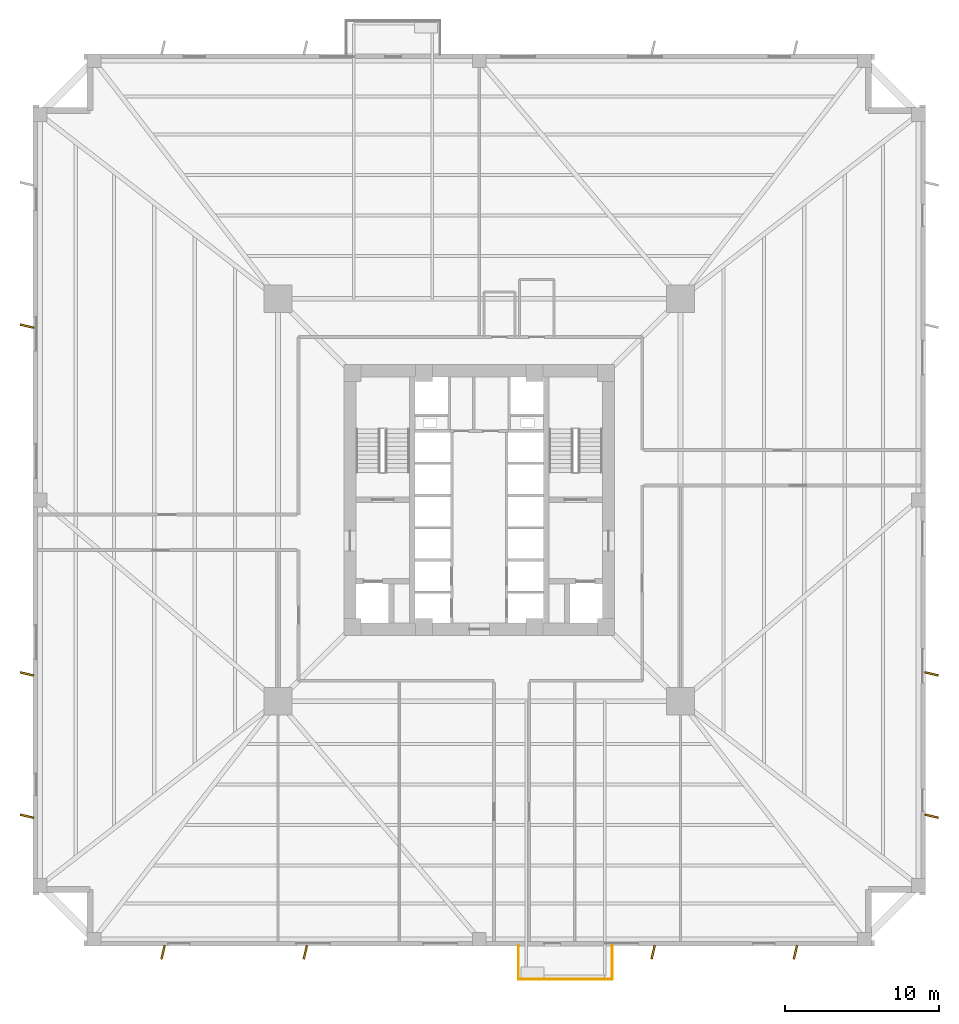
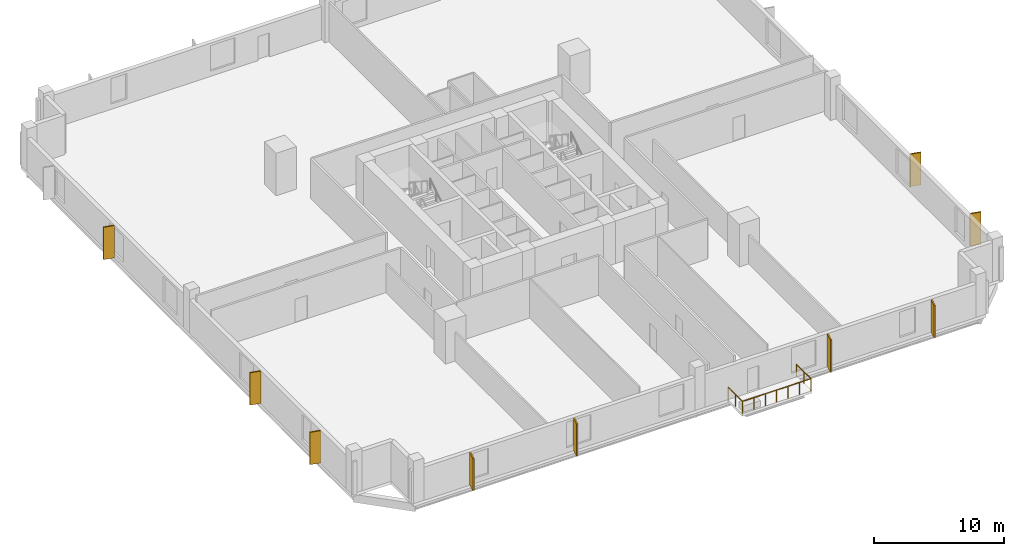
# One storey, part 6 of 8: 9 coverings, 3 railings.
"""IFC4 building model written with IfcOpenShell, lengths in metres."""

import ifcopenshell
import ifcopenshell.guid

model = None  # the IFC model being written
_history = None  # IfcOwnerHistory: only IFC2X3 demands one
_inside = {}  # id of a spatial element -> (the spatial element, [elements in it])
_under = {}  # id of a project, library or spatial element -> (it, [spatial elements below it])
_declared = {}  # id of a project -> (the project, [libraries it declares])
_typed = {}  # id of a type object -> (the type object, [elements of that type])
_made_of = {}  # id of a material, layer set ... -> (it, [elements and type objects made of it])


def new_model(schema):
    """Start an empty IFC model of exactly this schema.

    Asked for "IFC4X3", IfcOpenShell would pick the latest addendum, in which some entities
    have other attributes; the version numbers below select the first issue.
    IFC2X3 requires an IfcOwnerHistory on every rooted entity: one is made here for all.
    """
    global model, _history
    if schema == "IFC4X3":
        model = ifcopenshell.file(schema_version=(4, 3, 0, 0))
    else:
        model = ifcopenshell.file(schema=schema)
    _inside.clear()
    _under.clear()
    _declared.clear()
    _typed.clear()
    _made_of.clear()
    _history = None
    if model.schema == "IFC2X3":
        org = make("IfcOrganization", Name="unknown")
        user = make(
            "IfcPersonAndOrganization",
            ThePerson=make("IfcPerson", FamilyName="unknown"),
            TheOrganization=org,
        )
        app = make(
            "IfcApplication",
            ApplicationDeveloper=org,
            Version="unknown",
            ApplicationFullName="unknown",
            ApplicationIdentifier="unknown",
        )
        _history = make(
            "IfcOwnerHistory",
            OwningUser=user,
            OwningApplication=app,
            ChangeAction="ADDED",
            CreationDate=0,
        )
    return model


def make(cls, **values):
    """One entity of the class cls with the attributes given. An attribute that is None is left unset."""
    return model.create_entity(
        cls, **{name: value for name, value in values.items() if value is not None}
    )


def rooted(cls, **values):
    """An entity with a GlobalId (a new one), such as an element, a storey or a relation."""
    return make(cls, GlobalId=ifcopenshell.guid.new(), OwnerHistory=_history, **values)


def si_unit(unit_type, name, prefix=None):
    """IfcSIUnit, for example si_unit("LENGTHUNIT", "METRE", prefix="MILLI")."""
    return make("IfcSIUnit", UnitType=unit_type, Prefix=prefix, Name=name)


def assignment(units):
    """IfcUnitAssignment: the units of a project."""
    return None if units is None else make("IfcUnitAssignment", Units=units)


def point(xyz):
    """IfcCartesianPoint."""
    return None if xyz is None else make("IfcCartesianPoint", Coordinates=xyz)


def direction(xyz):
    """IfcDirection."""
    return None if xyz is None else make("IfcDirection", DirectionRatios=xyz)


def frame(location, z_axis=None, x_axis=None):
    """IfcAxis2Placement3D, a coordinate frame: its origin and axes. An axis left out is left unset."""
    return make(
        "IfcAxis2Placement3D",
        Location=point(location),
        Axis=direction(z_axis),
        RefDirection=direction(x_axis),
    )


def frame_2d(location, x_axis=None):
    """IfcAxis2Placement2D, a coordinate frame in the plane: its origin and x axis."""
    return make(
        "IfcAxis2Placement2D", Location=point(location), RefDirection=direction(x_axis)
    )


def origin():
    """The frame at (0, 0, 0) with its axes left unset."""
    return frame((0.0, 0.0, 0.0))


def origin_2d():
    """The frame at (0, 0) in the plane with its x axis left unset."""
    return frame_2d((0.0, 0.0))


def place(relative_to, where):
    """IfcLocalPlacement: puts the frame where relative to a parent placement (None: the world)."""
    return make(
        "IfcLocalPlacement", PlacementRelTo=relative_to, RelativePlacement=where
    )


def context(
    kind, dimensions, precision=None, world=None, true_north=None, identifier=None
):
    """IfcGeometricRepresentationContext, for example the 3D "Model" context."""
    return make(
        "IfcGeometricRepresentationContext",
        ContextIdentifier=identifier,
        ContextType=kind,
        CoordinateSpaceDimension=dimensions,
        Precision=precision,
        WorldCoordinateSystem=world,
        TrueNorth=true_north,
    )


def subcontext(parent, identifier, kind, view, scale=None):
    """IfcGeometricRepresentationSubContext, for example "Body" below "Model"."""
    return make(
        "IfcGeometricRepresentationSubContext",
        ContextIdentifier=identifier,
        ContextType=kind,
        ParentContext=parent,
        TargetScale=scale,
        TargetView=view,
    )


def project(units=None, contexts=None):
    """IfcProject with its units and contexts."""
    return rooted(
        "IfcProject",
        Name="project",
        RepresentationContexts=contexts,
        UnitsInContext=assignment(units),
    )


def spatial(cls, under=None, at=None, **own):
    """A site, building, storey or space (cls), placed at a placement, below another one or the project."""
    s = rooted(cls, ObjectPlacement=at, **own)
    if under is not None:
        _under.setdefault(under.id(), (under, []))[1].append(s)
    return s


def profile(cls, at=None, kind="AREA", **sizes):
    """A parametric profile (cls). Its sizes go by their IFC names, for example OverallWidth=200.0."""
    return make(cls, ProfileType=kind, Position=at, **sizes)


def rectangle(**sizes):
    """IfcRectangleProfileDef."""
    return profile("IfcRectangleProfileDef", **sizes)


def circle(**sizes):
    """IfcCircleProfileDef."""
    return profile("IfcCircleProfileDef", **sizes)


def extrude(swept, where, along, depth):
    """IfcExtrudedAreaSolid: the profile swept, set in the frame where, extruded along a direction by depth."""
    return make(
        "IfcExtrudedAreaSolid",
        SweptArea=swept,
        Position=where,
        ExtrudedDirection=direction(along),
        Depth=depth,
    )


def shape(context_of_items, identifier, shape_type, items):
    """IfcShapeRepresentation: the items that make up one representation, for example the "Body"."""
    return make(
        "IfcShapeRepresentation",
        ContextOfItems=context_of_items,
        RepresentationIdentifier=identifier,
        RepresentationType=shape_type,
        Items=items,
    )


def source(mapping_origin, context_of_items, identifier, shape_type, items):
    """IfcRepresentationMap: a shape defined once, which mapped items show again and again."""
    return make(
        "IfcRepresentationMap",
        MappingOrigin=mapping_origin,
        MappedRepresentation=shape(context_of_items, identifier, shape_type, items),
    )


def transform(
    local_origin,
    x_axis=None,
    y_axis=None,
    z_axis=None,
    scale=None,
    scale2=None,
    scale3=None,
    uniform=True,
):
    """IfcCartesianTransformationOperator3D, or its non-uniform kind. x_axis, y_axis, z_axis: its Axis1, 2, 3."""
    if uniform:
        return make(
            "IfcCartesianTransformationOperator3D",
            Axis1=direction(x_axis),
            Axis2=direction(y_axis),
            LocalOrigin=point(local_origin),
            Scale=scale,
            Axis3=direction(z_axis),
        )
    return make(
        "IfcCartesianTransformationOperator3DnonUniform",
        Axis1=direction(x_axis),
        Axis2=direction(y_axis),
        LocalOrigin=point(local_origin),
        Scale=scale,
        Axis3=direction(z_axis),
        Scale2=scale2,
        Scale3=scale3,
    )


def mapped(mapping_source, mapping_target):
    """IfcMappedItem: shows the shape of a source again, moved by a transform."""
    return make(
        "IfcMappedItem", MappingSource=mapping_source, MappingTarget=mapping_target
    )


def material(Name=None, Category=None):
    """IfcMaterial."""
    return make("IfcMaterial", Name=Name, Category=Category)


def layer(
    of_material, thickness, ventilated=None, Name=None, Category=None, Priority=None
):
    """IfcMaterialLayer: one layer of a wall or slab, of a material (None: an air gap)."""
    return make(
        "IfcMaterialLayer",
        Material=of_material,
        LayerThickness=thickness,
        IsVentilated=ventilated,
        Name=Name,
        Category=Category,
        Priority=Priority,
    )


def layer_set(layers, Name=None):
    """IfcMaterialLayerSet."""
    return make("IfcMaterialLayerSet", MaterialLayers=layers, LayerSetName=Name)


def made_of(thing, what):
    """Note that an element or type object is made of a material, layer set ...; save() writes the relation."""
    if what is not None:
        _made_of.setdefault(what.id(), (what, []))[1].append(thing)
    return thing


def type_object(cls, material=None, **own):
    """A type object (cls), such as IfcWallType, which elements share."""
    return made_of(rooted(cls, **own), material)


def element(
    cls,
    number,
    at=None,
    inside=None,
    cuts=None,
    type_object=None,
    material=None,
    context=None,
    identifier="Body",
    shape_type=None,
    held_by="IfcProductDefinitionShape",
    body=None,
    shapes=None,
    **own,
):
    """One element of the class cls, such as IfcWall. Its Tag is "e" and its number.

    at: its placement. inside: the storey or other place that contains it. cuts: it is an
    opening in that element (IfcRelVoidsElement). A single representation is given by context,
    identifier, shape_type and body (its items); several are given by shapes. held_by: the class
    of the entity that holds the representations. save() writes the other relations.
    """
    e = rooted(cls, Tag="e%d" % number, ObjectPlacement=at, **own)
    if body is not None:
        shapes = [shape(context, identifier, shape_type, body)]
    if shapes is not None:
        e.Representation = make(held_by, Representations=shapes)
    if inside is not None:
        _inside.setdefault(inside.id(), (inside, []))[1].append(e)
    if cuts is not None:
        rooted(
            "IfcRelVoidsElement", RelatingBuildingElement=cuts, RelatedOpeningElement=e
        )
    if type_object is not None:
        _typed.setdefault(type_object.id(), (type_object, []))[1].append(e)
    return made_of(e, material)


def aggregate(whole, parts):
    """IfcRelAggregates: a whole, such as a stair, and the parts it consists of."""
    return rooted("IfcRelAggregates", RelatingObject=whole, RelatedObjects=parts)


def save(model, path):
    """Write the relations noted so far, then the file.

    IfcRelAggregates (storeys below a building ...), IfcRelContainedInSpatialStructure (elements
    in a storey), IfcRelDefinesByType, IfcRelAssociatesMaterial and IfcRelDeclares: one each for
    every whole, place, type object, material and project.
    """
    for whole, parts in _under.values():
        aggregate(whole, parts)
    for where, things in _inside.values():
        rooted(
            "IfcRelContainedInSpatialStructure",
            RelatedElements=things,
            RelatingStructure=where,
        )
    for kind, things in _typed.values():
        rooted("IfcRelDefinesByType", RelatedObjects=things, RelatingType=kind)
    for what, things in _made_of.values():
        rooted("IfcRelAssociatesMaterial", RelatedObjects=things, RelatingMaterial=what)
    for by, libraries in _declared.values():
        rooted("IfcRelDeclares", RelatingContext=by, RelatedDefinitions=libraries)
    model.write(path)


model = new_model("IFC4")

# Units and contexts
model_context = context("Model", 3, precision=1e-05, world=origin(), true_north=direction((0.0, 1.0)))
body_context = subcontext(model_context, "Body", "Model", "MODEL_VIEW")
ifc_project = project(units=[si_unit("LENGTHUNIT", "METRE"), si_unit("AREAUNIT", "SQUARE_METRE"), si_unit("VOLUMEUNIT", "CUBIC_METRE"), si_unit("PLANEANGLEUNIT", "RADIAN"), si_unit("MASSUNIT", "GRAM", prefix="KILO"), si_unit("THERMODYNAMICTEMPERATUREUNIT", "KELVIN")], contexts=[model_context])

# Site, building, storey
site_placement = place(None, origin())
site = spatial("IfcSite", under=ifc_project, at=site_placement, CompositionType="ELEMENT")
building_placement = place(site_placement, origin())
building = spatial("IfcBuilding", under=site, at=building_placement, Name="Kosmvard Interchange Tower", CompositionType="ELEMENT")
storey_placement = place(building_placement, frame((0.0, 0.0, 50.0)))
storey = spatial("IfcBuildingStorey", under=building, at=storey_placement, Name="L11", CompositionType="ELEMENT", Elevation=50.0)

# Railings
ifc_material_1 = material(Name="Steel S355", Category="steel")
railing_type = type_object("IfcRailingType", Name="Observation & Balcony Glass-Infill Balustrade 1150", PredefinedType="BALUSTRADE", material=ifc_material_1)
shared_shape_1 = source(origin(), body_context, "Body", "SweptSolid", [
    extrude(circle(Radius=0.02392578125, at=origin_2d()), frame((0.0, 0.0, 1.1259765625), z_axis=(0.0, -1.0, 0.0), x_axis=(1.0, 0.0, 0.0)), (0.0, 0.0, 1.0), 2.199951171875),
    extrude(circle(Radius=0.02099609375, at=origin_2d()), origin(), (0.0, 0.0, 1.0), 1.101806640625),
    extrude(circle(Radius=0.02099609375, at=origin_2d()), frame((0.0, -1.10009765625, 0.0)), (0.0, 0.0, 1.0), 1.101806640625),
    extrude(circle(Radius=0.02099609375, at=origin_2d()), frame((0.0, -2.199951171875, 0.0)), (0.0, 0.0, 1.0), 1.101806640625),
])
railing_1_placement = place(storey_placement, frame((2.550048828125, -28.949951171875, 0.0)))
element("IfcRailing", 1, at=railing_1_placement, inside=storey, type_object=railing_type, Name="L11 Outdoor Terrace Guard BAL-L11-SW-A", PredefinedType="BALUSTRADE", context=body_context, shape_type="MappedRepresentation", body=[
    mapped(shared_shape_1, transform((0.0, 0.0, 0.0), scale=1.0)),
])
shared_shape_2 = source(origin(), body_context, "Body", "SweptSolid", [
    extrude(circle(Radius=0.02392578125, at=origin_2d()), frame((0.0, 0.0, 1.1259765625), z_axis=(1.0, 0.0, 0.0), x_axis=(0.0, 1.0, 0.0)), (0.0, 0.0, 1.0), 6.099853515625),
    extrude(circle(Radius=0.02099609375, at=origin_2d()), origin(), (0.0, 0.0, 1.0), 1.101806640625),
    extrude(circle(Radius=0.02099609375, at=origin_2d()), frame((1.0166015625, 0.0, 0.0)), (0.0, 0.0, 1.0), 1.101806640625),
    extrude(circle(Radius=0.02099609375, at=origin_2d()), frame((2.033203125, 0.0, 0.0)), (0.0, 0.0, 1.0), 1.101806640625),
    extrude(circle(Radius=0.02099609375, at=origin_2d()), frame((3.0498046875, 0.0, 0.0)), (0.0, 0.0, 1.0), 1.101806640625),
    extrude(circle(Radius=0.02099609375, at=origin_2d()), frame((4.066650390625, 0.0, 0.0)), (0.0, 0.0, 1.0), 1.101806640625),
    extrude(circle(Radius=0.02099609375, at=origin_2d()), frame((5.083251953125, 0.0, 0.0)), (0.0, 0.0, 1.0), 1.101806640625),
    extrude(circle(Radius=0.02099609375, at=origin_2d()), frame((6.099853515625, 0.0, 0.0)), (0.0, 0.0, 1.0), 1.101806640625),
])
railing_2_placement = place(storey_placement, frame((2.550048828125, -31.14990234375, 0.0)))
element("IfcRailing", 2, at=railing_2_placement, inside=storey, type_object=railing_type, Name="L11 Outdoor Terrace Guard BAL-L11-SW-B", PredefinedType="BALUSTRADE", context=body_context, shape_type="MappedRepresentation", body=[
    mapped(shared_shape_2, transform((0.0, 0.0, 0.0), scale=1.0)),
])
shared_shape_3 = source(origin(), body_context, "Body", "SweptSolid", [
    extrude(circle(Radius=0.02392578125, at=origin_2d()), frame((0.0, 0.0, 1.1259765625), z_axis=(0.0, 1.0, 0.0), x_axis=(-1.0, 0.0, 0.0)), (0.0, 0.0, 1.0), 2.199951171875),
    extrude(circle(Radius=0.02099609375, at=origin_2d()), origin(), (0.0, 0.0, 1.0), 1.101806640625),
    extrude(circle(Radius=0.02099609375, at=origin_2d()), frame((0.0, 1.10009765625, 0.0)), (0.0, 0.0, 1.0), 1.101806640625),
    extrude(circle(Radius=0.02099609375, at=origin_2d()), frame((0.0, 2.199951171875, 0.0)), (0.0, 0.0, 1.0), 1.101806640625),
])
railing_3_placement = place(storey_placement, frame((8.64990234375, -31.14990234375, 0.0)))
element("IfcRailing", 3, at=railing_3_placement, inside=storey, type_object=railing_type, Name="L11 Outdoor Terrace Guard BAL-L11-SW-C", PredefinedType="BALUSTRADE", context=body_context, shape_type="MappedRepresentation", body=[
    mapped(shared_shape_3, transform((0.0, 0.0, 0.0), scale=1.0)),
])

# Coverings
ifc_material_2 = material(Name="Architectural anodised aluminium", Category="aluminium")
ifc_layer = layer(ifc_material_2, 0.1201171875, Name="Architectural anodised aluminium")
ifc_layer_set = layer_set([ifc_layer], Name="Architectural anodised aluminium")
covering_type = type_object("IfcCoveringType", Name="Rotating Vertical Sun-Breaker Fin 900x120 Aluminium", PredefinedType="CLADDING", material=ifc_layer_set)
shared_shape_4 = source(origin(), body_context, "Body", "SweptSolid", [
    extrude(rectangle(XDim=0.89990234375, YDim=0.1201171875, at=origin_2d()), origin(), (0.0, 0.0, 1.0), 3.0400390625),
])
for number, where, z_axis, x_axis, name in (
    (4, (-20.552001953125, -29.39990234375, 0.0400390625), (0.0, 0.0, 1.0), (-0.230049737188, -0.973178872777, 0.0), "L11 Rotating Vertical Sun-Breaker Fin 01"),
    (5, (-11.3037109375, -29.39990234375, 0.0400390625), (0.0, 0.0, 1.0), (-0.230049737188, -0.973178872777, 0.0), "L11 Rotating Vertical Sun-Breaker Fin 02"),
    (6, (11.3037109375, -29.39990234375, 0.0400390625), (0.0, 0.0, 1.0), (-0.230049737188, -0.973178872777, 0.0), "L11 Rotating Vertical Sun-Breaker Fin 03"),
    (7, (20.552001953125, -29.39990234375, 0.0400390625), (0.0, 0.0, 1.0), (-0.230049737188, -0.973178872777, 0.0), "L11 Rotating Vertical Sun-Breaker Fin 04"),
    (8, (29.39990234375, -20.552001953125, 0.0400390625), (0.0, 0.0, 1.0), (0.973178872777, -0.230049737188, 0.0), "L11 Rotating Vertical Sun-Breaker Fin 05"),
    (9, (29.39990234375, -11.3037109375, 0.0400390625), (0.0, 0.0, 1.0), (0.973178872777, -0.230049737188, 0.0), "L11 Rotating Vertical Sun-Breaker Fin 06"),
    (10, (-29.39990234375, 11.3037109375, 0.0400390625), (0.0, 0.0, 1.0), (-0.973178872777, 0.230049737188, 0.0), "L11 Rotating Vertical Sun-Breaker Fin 14"),
    (11, (-29.39990234375, -11.3037109375, 0.0400390625), (0.0, 0.0, 1.0), (-0.973178872777, 0.230049737188, 0.0), "L11 Rotating Vertical Sun-Breaker Fin 15"),
    (12, (-29.39990234375, -20.552001953125, 0.0400390625), (0.0, 0.0, 1.0), (-0.973178872777, 0.230049737188, 0.0), "L11 Rotating Vertical Sun-Breaker Fin 16"),
):
    element("IfcCovering", number, at=place(storey_placement, frame(where, z_axis=z_axis, x_axis=x_axis)), inside=storey, type_object=covering_type, Name=name, PredefinedType="CLADDING", context=body_context, shape_type="MappedRepresentation", body=[
        mapped(shared_shape_4, transform((0.0, 0.0, 0.0), scale=1.0)),
    ])

save(model, "model.ifc")
